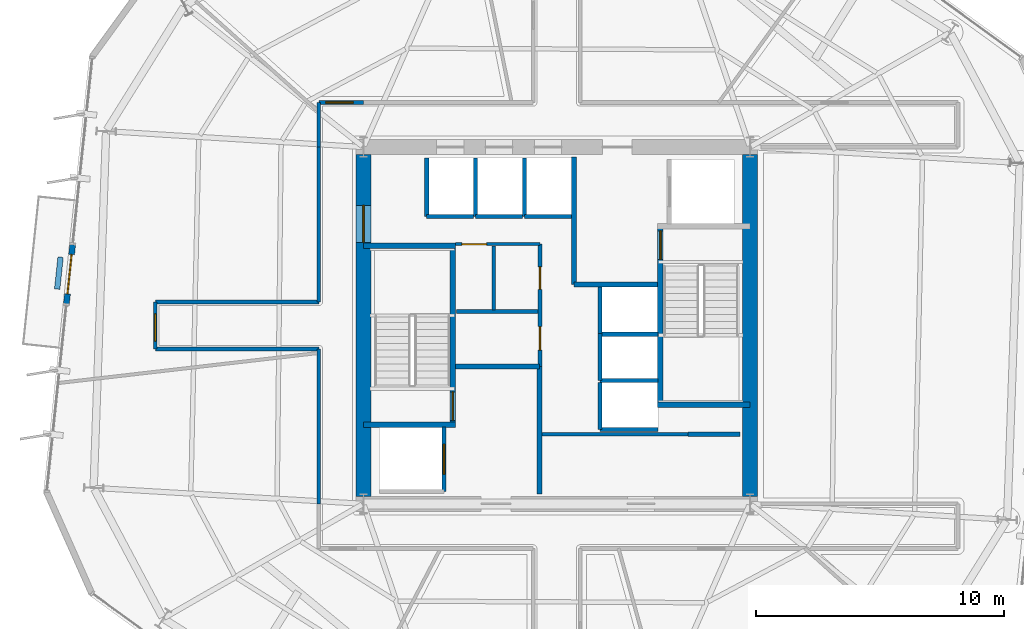
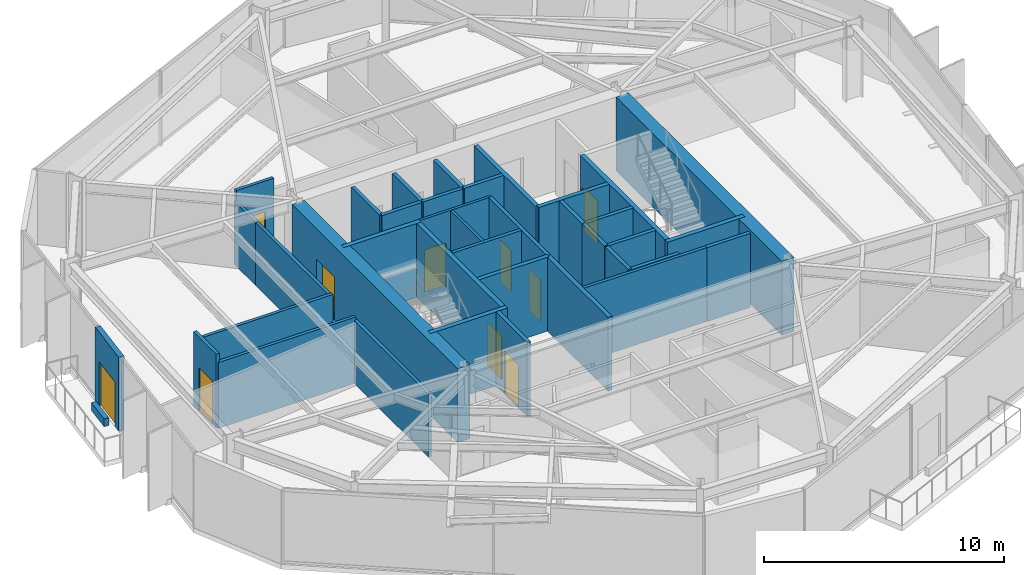
# One storey, part 7 of 13: 39 walls, 10 doors, 10 openings.
"""IFC4 building model written with IfcOpenShell, lengths in metres."""

from ifc_helpers import new_model, si_unit, direction, frame, frame_2d, origin, place, context, subcontext, project, spatial, rectangle, extrude, material, layer, layer_set, type_object, element, fill, save


model = new_model("IFC4")

# Units and contexts
model_context = context("Model", 3, precision=1e-05, world=origin(), true_north=direction((0.0, 1.0)))
body_context = subcontext(model_context, "Body", "Model", "MODEL_VIEW")
ifc_project = project(units=[si_unit("LENGTHUNIT", "METRE"), si_unit("AREAUNIT", "SQUARE_METRE"), si_unit("VOLUMEUNIT", "CUBIC_METRE"), si_unit("PLANEANGLEUNIT", "RADIAN"), si_unit("MASSUNIT", "GRAM", prefix="KILO")], contexts=[model_context])

# Site, building, storey
site_placement = place(None, origin())
site = spatial("IfcSite", under=ifc_project, at=site_placement, CompositionType="ELEMENT")
building_placement = place(site_placement, origin())
building = spatial("IfcBuilding", under=site, at=building_placement, Name="Kranzbogen Civic Tower", CompositionType="ELEMENT")
storey_placement = place(building_placement, frame((0.0, 0.0, 118.39990234375)))
storey = spatial("IfcBuildingStorey", under=building, at=storey_placement, Name="L28", CompositionType="ELEMENT", Elevation=118.39990234375)

# Walls
ifc_material_1 = material(Name="Double-Stud Acoustic Gypsum Partition")
ifc_layer_1 = layer(ifc_material_1, 0.14990234375, Name="Double-Stud Acoustic Gypsum Partition")
ifc_layer_set_1 = layer_set([ifc_layer_1], Name="Double-Stud Acoustic Gypsum Partition")
wall_type_1 = type_object("IfcWallType", Name="Acoustic Corridor and Clinical Partition 150 mm", PredefinedType="PARTITIONING", material=ifc_layer_set_1)
wall_1_placement = place(storey_placement, frame((24.39990234375, 20.610107421875, 0.0), z_axis=(0.0, 0.0, 1.0), x_axis=(1.0, 0.0, 0.0)))
element("IfcWall", 1, at=wall_1_placement, inside=storey, type_object=wall_type_1, Name="L28 records zone North wall", PredefinedType="PARTITIONING", context=body_context, shape_type="SweptSolid", body=[
    extrude(rectangle(XDim=5.900146484375, YDim=0.14990234375, at=frame_2d((2.9501953125, 0.0))), origin(), (0.0, 0.0, 1.0), 3.760009765625),
])
wall_2_placement = place(storey_placement, frame((15.39990234375, 17.800048828125, 0.0), z_axis=(0.0, 0.0, 1.0), x_axis=(0.0, 1.0, 0.0)))
element("IfcWall", 2, at=wall_2_placement, inside=storey, type_object=wall_type_1, Name="L28 corridor partition 03", PredefinedType="PARTITIONING", context=body_context, shape_type="SweptSolid", body=[
    extrude(rectangle(XDim=6.25, YDim=0.14990234375, at=frame_2d((3.125, 0.0))), origin(), (0.0, 0.0, 1.0), 3.210205078125),
])
wall_3_placement = place(storey_placement, frame((15.39990234375, 24.050048828125, 0.0), z_axis=(0.0, 0.0, 1.0), x_axis=(-1.0, 0.0, 0.0)))
element("IfcWall", 3, at=wall_3_placement, inside=storey, type_object=wall_type_1, Name="L28 corridor partition 04", PredefinedType="PARTITIONING", context=body_context, shape_type="SweptSolid", body=[
    extrude(rectangle(XDim=6.599853515625, YDim=0.14990234375, at=frame_2d((3.2998046875, 0.0))), origin(), (0.0, 0.0, 1.0), 3.360107421875),
])

# Wall, opening, door
wall_4_placement = place(storey_placement, frame((8.800048828125, 24.050048828125, 0.0), z_axis=(0.0, 0.0, 1.0), x_axis=(0.0, 1.0, 0.0)))
wall_4 = element("IfcWall", 4, at=wall_4_placement, inside=storey, type_object=wall_type_1, Name="L28 corridor partition 05", PredefinedType="PARTITIONING", context=body_context, shape_type="SweptSolid", body=[
    extrude(rectangle(XDim=1.89990234375, YDim=0.14990234375, at=frame_2d((0.949951171875, 0.0))), origin(), (0.0, 0.0, 1.0), 3.760009765625),
])
opening_1_placement = place(wall_4_placement, frame((0.320068359375, 0.0, 0.0)))
opening_1 = element("IfcOpeningElement", 5, at=opening_1_placement, cuts=wall_4, Name="Opening D-COR60", PredefinedType="OPENING", context=body_context, shape_type="SweptSolid", body=[
    extrude(rectangle(XDim=1.10009765625, YDim=2.199951171875, at=frame_2d((0.550048828125, 1.10009765625))), frame((0.0, 0.0849609375, 0.0), z_axis=(0.0, -1.0, 0.0), x_axis=(1.0, 0.0, 0.0)), (0.0, 0.0, 1.0), 0.169921875),
])
ifc_material_2 = material(Name="Oak Timber and Fire Core", Category="wood")
door_type_1 = type_object("IfcDoorType", Name="Corridor Acoustic Fire Door 1100x2200", OperationType="NOTDEFINED", PredefinedType="DOOR", material=ifc_material_2)
door_1_placement = place(opening_1_placement, origin())
door_1 = element("IfcDoor", 6, at=door_1_placement, inside=storey, type_object=door_type_1, Name="L28 Operations Security Control Room door", OperationType="SINGLE_SWING_LEFT", OverallHeight=2.199951171875, OverallWidth=1.10009765625, PredefinedType="DOOR", context=body_context, shape_type="SweptSolid", body=[
    extrude(rectangle(XDim=1.10009765625, YDim=2.199951171875, at=frame_2d((0.550048828125, 1.10009765625))), frame((0.0, 0.02490234375, 0.0), z_axis=(0.0, -1.0, 0.0), x_axis=(1.0, 0.0, 0.0)), (0.0, 0.0, 1.0), 0.050048828125),
])
fill(opening_1, door_1)

# Walls
wall_5_placement = place(storey_placement, frame((8.800048828125, 25.949951171875, 0.0), z_axis=(0.0, 0.0, 1.0), x_axis=(1.0, 0.0, 0.0)))
element("IfcWall", 7, at=wall_5_placement, inside=storey, type_object=wall_type_1, Name="L28 corridor partition 06", PredefinedType="PARTITIONING", context=body_context, shape_type="SweptSolid", body=[
    extrude(rectangle(XDim=6.599853515625, YDim=0.14990234375, at=frame_2d((3.2998046875, 0.0))), origin(), (0.0, 0.0, 1.0), 3.360107421875),
])
wall_6_placement = place(storey_placement, frame((15.39990234375, 25.949951171875, 0.0), z_axis=(0.0, 0.0, 1.0), x_axis=(0.0, 1.0, 0.0)))
element("IfcWall", 8, at=wall_6_placement, inside=storey, type_object=wall_type_1, Name="L28 corridor partition 07", PredefinedType="PARTITIONING", context=body_context, shape_type="SweptSolid", body=[
    extrude(rectangle(XDim=6.25, YDim=0.14990234375, at=frame_2d((3.125, 0.0))), origin(), (0.0, 0.0, 1.0), 3.210205078125),
])
wall_7_placement = place(storey_placement, frame((15.39990234375, 32.199951171875, 0.0), z_axis=(0.0, 0.0, 1.0), x_axis=(0.0, 1.0, 0.0)))
element("IfcWall", 9, at=wall_7_placement, inside=storey, type_object=wall_type_1, Name="L28 corridor partition 08", PredefinedType="PARTITIONING", context=body_context, shape_type="SweptSolid", body=[
    extrude(rectangle(XDim=1.800048828125, YDim=0.14990234375, at=frame_2d((0.89990234375, 0.0))), origin(), (0.0, 0.0, 1.0), 3.210205078125),
])

# Wall, opening, door
wall_8_placement = place(storey_placement, frame((15.39990234375, 34.0, 0.0), z_axis=(0.0, 0.0, 1.0), x_axis=(1.0, 0.0, 0.0)))
wall_8 = element("IfcWall", 10, at=wall_8_placement, inside=storey, type_object=wall_type_1, Name="L28 corridor partition 09", PredefinedType="PARTITIONING", context=body_context, shape_type="SweptSolid", body=[
    extrude(rectangle(XDim=1.800048828125, YDim=0.14990234375, at=frame_2d((0.89990234375, 0.0))), origin(), (0.0, 0.0, 1.0), 3.760009765625),
])
opening_2_placement = place(wall_8_placement, frame((0.287109375, 0.0, 0.0)))
opening_2 = element("IfcOpeningElement", 11, at=opening_2_placement, cuts=wall_8, Name="Opening D-COR60", PredefinedType="OPENING", context=body_context, shape_type="SweptSolid", body=[
    extrude(rectangle(XDim=1.10009765625, YDim=2.199951171875, at=frame_2d((0.550048828125, 1.10009765625))), frame((0.0, 0.0849609375, 0.0), z_axis=(0.0, -1.0, 0.0), x_axis=(1.0, 0.0, 0.0)), (0.0, 0.0, 1.0), 0.169921875),
])
door_2_placement = place(opening_2_placement, origin())
door_2 = element("IfcDoor", 12, at=door_2_placement, inside=storey, type_object=door_type_1, Name="L28 Refreshment Galley Pantry door", OperationType="SINGLE_SWING_RIGHT", OverallHeight=2.199951171875, OverallWidth=1.10009765625, PredefinedType="DOOR", context=body_context, shape_type="SweptSolid", body=[
    extrude(rectangle(XDim=1.10009765625, YDim=2.199951171875, at=frame_2d((0.550048828125, 1.10009765625))), frame((0.0, 0.02490234375, 0.0), z_axis=(0.0, -1.0, 0.0), x_axis=(1.0, 0.0, 0.0)), (0.0, 0.0, 1.0), 0.050048828125),
])
fill(opening_2, door_2)

ifc_material_3 = material(Name="Insulated Metal-Stud Gypsum Partition")
ifc_layer_2 = layer(ifc_material_3, 0.125, Name="Insulated Metal-Stud Gypsum Partition")
ifc_layer_set_2 = layer_set([ifc_layer_2], Name="Insulated Metal-Stud Gypsum Partition")
wall_type_2 = type_object("IfcWallType", Name="Acoustic Inter-Room Partition 125 mm", PredefinedType="PARTITIONING", material=ifc_layer_set_2)
wall_9_placement = place(storey_placement, frame((20.919921875, 28.280029296875, 0.0), z_axis=(0.0, 0.0, 1.0), x_axis=(1.0, 0.0, 0.0)))
wall_9 = element("IfcWall", 13, at=wall_9_placement, inside=storey, type_object=wall_type_2, Name="L28 core auxiliary North wall", PredefinedType="PARTITIONING", context=body_context, shape_type="SweptSolid", body=[
    extrude(rectangle(XDim=3.405029296875, YDim=0.125, at=frame_2d((1.70263671875, 0.0))), origin(), (0.0, 0.0, 1.0), 3.760009765625),
])
opening_3_placement = place(wall_9_placement, frame((0.2548828125, 0.0, 0.0)))
opening_3 = element("IfcOpeningElement", 14, at=opening_3_placement, cuts=wall_9, Name="Opening D-RSR10", PredefinedType="OPENING", context=body_context, shape_type="SweptSolid", body=[
    extrude(rectangle(XDim=1.0, YDim=2.14990234375, at=frame_2d((0.5, 1.074951171875))), frame((0.0, 0.072509765625, 0.0), z_axis=(0.0, -1.0, 0.0), x_axis=(1.0, 0.0, 0.0)), (0.0, 0.0, 1.0), 0.14501953125),
])
door_type_2 = type_object("IfcDoorType", Name="Core Archive and Riser Fire Door 1000x2150", OperationType="NOTDEFINED", PredefinedType="DOOR", material=ifc_material_2)
door_3_placement = place(opening_3_placement, origin())
door_3 = element("IfcDoor", 15, at=door_3_placement, inside=storey, type_object=door_type_2, Name="L28 Telecom and Riser Room door", OperationType="SINGLE_SWING_RIGHT", OverallHeight=2.14990234375, OverallWidth=1.0, PredefinedType="DOOR", context=body_context, shape_type="SweptSolid", body=[
    extrude(rectangle(XDim=1.0, YDim=2.14990234375, at=frame_2d((0.5, 1.074951171875))), frame((0.0, 0.02490234375, 0.0), z_axis=(0.0, -1.0, 0.0), x_axis=(1.0, 0.0, 0.0)), (0.0, 0.0, 1.0), 0.050048828125),
])
fill(opening_3, door_3)

# Walls
wall_10_placement = place(storey_placement, frame((22.4599609375, 25.6201171875, 0.0), z_axis=(0.0, 0.0, 1.0), x_axis=(0.0, 1.0, 0.0)))
element("IfcWall", 16, at=wall_10_placement, inside=storey, type_object=wall_type_2, Name="L28 core auxiliary partition 2", PredefinedType="PARTITIONING", context=body_context, shape_type="SweptSolid", body=[
    extrude(rectangle(XDim=2.579833984375, YDim=0.125, at=frame_2d((1.2900390625, 0.0))), origin(), (0.0, 0.0, 1.0), 3.760009765625),
])
ifc_material_4 = material(Name="Architectural Precast Terracotta Concrete C40/50", Category="masonry")
ifc_layer_3 = layer(ifc_material_4, 0.219970703125, Name="Architectural Precast Terracotta Concrete C40/50")
ifc_layer_set_3 = layer_set([ifc_layer_3], Name="Architectural Precast Terracotta Concrete C40/50")
wall_type_3 = type_object("IfcWallType", Name="Architectural Tree Planter Kerb Wall 220 mm", PredefinedType="USERDEFINED", material=ifc_layer_set_3)
wall_11_placement = place(storey_placement, frame((4.97412109375, 27.758056640625, 0.0), z_axis=(0.0, 0.0, 1.0), x_axis=(-0.104860863868, -0.994486902492, 0.0)))
element("IfcWall", 17, at=wall_11_placement, inside=storey, type_object=wall_type_3, Name="L28 landscaped tree balcony planter L28-TB2", ObjectType="PLANTER_WALL", PredefinedType="USERDEFINED", context=body_context, shape_type="SweptSolid", body=[
    extrude(rectangle(XDim=1.299072265625, YDim=0.219970703125, at=frame_2d((0.6494140625, 0.0))), origin(), (0.0, 0.0, 1.0), 0.400146484375),
])

# Wall, opening, door
ifc_material_5 = material(Name="Concrete C55/67", Category="concrete")
ifc_layer_4 = layer(ifc_material_5, 0.60009765625, Name="Concrete C55/67")
ifc_layer_set_4 = layer_set([ifc_layer_4], Name="Concrete C55/67")
wall_type_4 = type_object("IfcWallType", Name="Central Core Shear Wall 600 mm", PredefinedType="SHEAR", material=ifc_layer_set_4)
wall_12_placement = place(storey_placement, frame((17.199951171875, 31.89990234375, 0.0), z_axis=(0.0, 0.0, 1.0), x_axis=(0.0, -1.0, 0.0)))
wall_12 = element("IfcWall", 18, at=wall_12_placement, inside=storey, type_object=wall_type_4, Name="L28 central core West shear wall", PredefinedType="SHEAR", context=body_context, shape_type="SweptSolid", body=[
    extrude(rectangle(XDim=13.7998046875, YDim=0.60009765625, at=frame_2d((6.89990234375, 0.0))), origin(), (0.0, 0.0, 1.0), 3.760009765625),
])
opening_4_placement = place(wall_12_placement, frame((2.050048828125, 0.0, 0.0)))
opening_4 = element("IfcOpeningElement", 19, at=opening_4_placement, cuts=wall_12, Name="Opening D-DBL15", PredefinedType="OPENING", context=body_context, shape_type="SweptSolid", body=[
    extrude(rectangle(XDim=1.5, YDim=2.199951171875, at=frame_2d((0.75, 1.10009765625))), frame((0.0, 0.31005859375, 0.0), z_axis=(0.0, -1.0, 0.0), x_axis=(1.0, 0.0, 0.0)), (0.0, 0.0, 1.0), 0.6201171875),
])
ifc_material_6 = material(Name="Anodised Bronze and Glass", Category="glass")
door_type_3 = type_object("IfcDoorType", Name="Civic Lobby Double Door 1500x2200", OperationType="DOUBLE_DOOR_SINGLE_SWING", PredefinedType="DOOR", material=ifc_material_6)
door_4_placement = place(opening_4_placement, origin())
door_4 = element("IfcDoor", 20, at=door_4_placement, inside=storey, type_object=door_type_3, Name="L28 Central Lift Lobby West concourse door", OperationType="DOUBLE_DOOR_SINGLE_SWING", OverallHeight=2.199951171875, OverallWidth=1.5, PredefinedType="DOOR", context=body_context, shape_type="SweptSolid", body=[
    extrude(rectangle(XDim=1.5, YDim=2.199951171875, at=frame_2d((0.75, 1.10009765625))), frame((0.0, 0.02490234375, 0.0), z_axis=(0.0, -1.0, 0.0), x_axis=(1.0, 0.0, 0.0)), (0.0, 0.0, 1.0), 0.050048828125),
])
fill(opening_4, door_4)

# Wall
wall_13_placement = place(storey_placement, frame((32.800048828125, 18.10009765625, 0.0), z_axis=(0.0, 0.0, 1.0), x_axis=(0.0, 1.0, 0.0)))
element("IfcWall", 21, at=wall_13_placement, inside=storey, type_object=wall_type_4, Name="L28 central core East shear wall", PredefinedType="SHEAR", context=body_context, shape_type="SweptSolid", body=[
    extrude(rectangle(XDim=13.7998046875, YDim=0.60009765625, at=frame_2d((6.89990234375, 0.0))), origin(), (0.0, 0.0, 1.0), 3.760009765625),
])

# Wall, opening, door
ifc_material_7 = material(Name="Concrete C45/55", Category="concrete")
ifc_layer_5 = layer(ifc_material_7, 0.219970703125, Name="Concrete C45/55")
ifc_layer_set_5 = layer_set([ifc_layer_5], Name="Concrete C45/55")
wall_type_5 = type_object("IfcWallType", Name="Core Internal Stair Structural Wall 220 mm", PredefinedType="SOLIDWALL", material=ifc_layer_set_5)
wall_14_placement = place(storey_placement, frame((20.81005859375, 20.989990234375, 0.0), z_axis=(0.0, 0.0, 1.0), x_axis=(0.0, 1.0, 0.0)))
wall_14 = element("IfcWall", 22, at=wall_14_placement, inside=storey, type_object=wall_type_5, Name="L28 ST-T1 East structural stair wall", PredefinedType="SOLIDWALL", context=body_context, shape_type="SweptSolid", body=[
    extrude(rectangle(XDim=7.219970703125, YDim=0.219970703125, at=frame_2d((3.60986328125, 0.0))), origin(), (0.0, 0.0, 1.0), 3.760009765625),
])
opening_5_placement = place(wall_14_placement, frame((0.179931640625, 0.0, 0.0)))
opening_5 = element("IfcOpeningElement", 23, at=opening_5_placement, cuts=wall_14, Name="Opening D-ST90", PredefinedType="OPENING", context=body_context, shape_type="SweptSolid", body=[
    extrude(rectangle(XDim=1.14990234375, YDim=2.199951171875, at=frame_2d((0.574951171875, 1.10009765625))), frame((0.0, 0.1201171875, 0.0), z_axis=(0.0, -1.0, 0.0), x_axis=(1.0, 0.0, 0.0)), (0.0, 0.0, 1.0), 0.239990234375),
])
ifc_material_8 = material(Name="Steel S355", Category="steel")
door_type_4 = type_object("IfcDoorType", Name="Pressurized Stair and Lobby Fire Door 1150x2200", OperationType="NOTDEFINED", PredefinedType="DOOR", material=ifc_material_8)
door_5_placement = place(opening_5_placement, origin())
door_5 = element("IfcDoor", 24, at=door_5_placement, inside=storey, type_object=door_type_4, Name="L28 Stair ST-T1 fire door", OperationType="SINGLE_SWING_LEFT", OverallHeight=2.199951171875, OverallWidth=1.14990234375, PredefinedType="DOOR", context=body_context, shape_type="SweptSolid", body=[
    extrude(rectangle(XDim=1.14990234375, YDim=2.199951171875, at=frame_2d((0.574951171875, 1.10009765625))), frame((0.0, 0.02490234375, 0.0), z_axis=(0.0, -1.0, 0.0), x_axis=(1.0, 0.0, 0.0)), (0.0, 0.0, 1.0), 0.050048828125),
])
fill(opening_5, door_5)

# Walls
for number, where, z_axis, x_axis, name in (
    (25, (17.199951171875, 20.989990234375, 0.0), (0.0, 0.0, 1.0), (1.0, 0.0, 0.0), "L28 ST-T1 South structural stair wall"),
    (26, (17.199951171875, 28.2099609375, 0.0), (0.0, 0.0, 1.0), (1.0, 0.0, 0.0), "L28 ST-T1 North structural stair wall"),
):
    element("IfcWall", number, at=place(storey_placement, frame(where, z_axis=z_axis, x_axis=x_axis)), inside=storey, type_object=wall_type_5, Name=name, PredefinedType="SOLIDWALL", context=body_context, shape_type="SweptSolid", body=[
        extrude(rectangle(XDim=3.719970703125, YDim=0.219970703125, at=frame_2d((1.85986328125, 0.0))), origin(), (0.0, 0.0, 1.0), 3.760009765625),
    ])

# Wall, opening, door
wall_15_placement = place(storey_placement, frame((29.18994140625, 21.7900390625, 0.0), z_axis=(0.0, 0.0, 1.0), x_axis=(0.0, 1.0, 0.0)))
wall_15 = element("IfcWall", 27, at=wall_15_placement, inside=storey, type_object=wall_type_5, Name="L28 ST-T2 West structural stair wall", PredefinedType="SOLIDWALL", context=body_context, shape_type="SweptSolid", body=[
    extrude(rectangle(XDim=7.219970703125, YDim=0.219970703125, at=frame_2d((3.60986328125, 0.0))), origin(), (0.0, 0.0, 1.0), 3.760009765625),
])
opening_6_placement = place(wall_15_placement, frame((5.8798828125, 0.0, 0.0)))
opening_6 = element("IfcOpeningElement", 28, at=opening_6_placement, cuts=wall_15, Name="Opening D-ST90", PredefinedType="OPENING", context=body_context, shape_type="SweptSolid", body=[
    extrude(rectangle(XDim=1.14990234375, YDim=2.199951171875, at=frame_2d((0.574951171875, 1.10009765625))), frame((0.0, 0.1201171875, 0.0), z_axis=(0.0, -1.0, 0.0), x_axis=(1.0, 0.0, 0.0)), (0.0, 0.0, 1.0), 0.239990234375),
])
door_6_placement = place(opening_6_placement, origin())
door_6 = element("IfcDoor", 29, at=door_6_placement, inside=storey, type_object=door_type_4, Name="L28 Stair ST-T2 fire door", OperationType="SINGLE_SWING_RIGHT", OverallHeight=2.199951171875, OverallWidth=1.14990234375, PredefinedType="DOOR", context=body_context, shape_type="SweptSolid", body=[
    extrude(rectangle(XDim=1.14990234375, YDim=2.199951171875, at=frame_2d((0.574951171875, 1.10009765625))), frame((0.0, 0.02490234375, 0.0), z_axis=(0.0, -1.0, 0.0), x_axis=(1.0, 0.0, 0.0)), (0.0, 0.0, 1.0), 0.050048828125),
])
fill(opening_6, door_6)

# Walls
wall_16_placement = place(storey_placement, frame((29.080078125, 21.7900390625, 0.0), z_axis=(0.0, 0.0, 1.0), x_axis=(1.0, 0.0, 0.0)))
element("IfcWall", 30, at=wall_16_placement, inside=storey, type_object=wall_type_5, Name="L28 ST-T2 South structural stair wall", PredefinedType="SOLIDWALL", context=body_context, shape_type="SweptSolid", body=[
    extrude(rectangle(XDim=3.719970703125, YDim=0.219970703125, at=frame_2d((1.85986328125, 0.0))), origin(), (0.0, 0.0, 1.0), 3.760009765625),
])
ifc_material_9 = material(Name="Gypsum Fireboard and Concrete Block", Category="concrete")
ifc_layer_6 = layer(ifc_material_9, 0.199951171875, Name="Gypsum Fireboard and Concrete Block")
ifc_layer_set_6 = layer_set([ifc_layer_6], Name="Gypsum Fireboard and Concrete Block")
wall_type_6 = type_object("IfcWallType", Name="Fire-Rated Exit Passageway and Stair Wall 200 mm", PredefinedType="PARTITIONING", material=ifc_layer_set_6)
wall_17_placement = place(storey_placement, frame((24.300048828125, 18.199951171875, 0.0), z_axis=(0.0, 0.0, 1.0), x_axis=(0.0, 1.0, 0.0)))
element("IfcWall", 31, at=wall_17_placement, inside=storey, type_object=wall_type_6, Name="L28 West firefighting lobby East wall", PredefinedType="PARTITIONING", context=body_context, shape_type="SweptSolid", body=[
    extrude(rectangle(XDim=5.150146484375, YDim=0.199951171875, at=frame_2d((2.5751953125, 0.0))), origin(), (0.0, 0.0, 1.0), 3.760009765625),
])
wall_18_placement = place(storey_placement, frame((20.919921875, 23.35009765625, 0.0), z_axis=(0.0, 0.0, 1.0), x_axis=(1.0, 0.0, 0.0)))
element("IfcWall", 32, at=wall_18_placement, inside=storey, type_object=wall_type_6, Name="L28 West firefighting lobby North wall", PredefinedType="PARTITIONING", context=body_context, shape_type="SweptSolid", body=[
    extrude(rectangle(XDim=3.380126953125, YDim=0.199951171875, at=frame_2d((1.68994140625, 0.0))), origin(), (0.0, 0.0, 1.0), 3.760009765625),
])
wall_19_placement = place(storey_placement, frame((25.699951171875, 26.64990234375, 0.0), z_axis=(0.0, 0.0, 1.0), x_axis=(0.0, 1.0, 0.0)))
element("IfcWall", 33, at=wall_19_placement, inside=storey, type_object=wall_type_6, Name="L28 East firefighting lobby West wall", PredefinedType="PARTITIONING", context=body_context, shape_type="SweptSolid", body=[
    extrude(rectangle(XDim=5.150146484375, YDim=0.199951171875, at=frame_2d((2.5751953125, 0.0))), origin(), (0.0, 0.0, 1.0), 3.760009765625),
])
wall_20_placement = place(storey_placement, frame((25.699951171875, 26.64990234375, 0.0), z_axis=(0.0, 0.0, 1.0), x_axis=(1.0, 0.0, 0.0)))
element("IfcWall", 34, at=wall_20_placement, inside=storey, type_object=wall_type_6, Name="L28 East firefighting lobby South wall", PredefinedType="PARTITIONING", context=body_context, shape_type="SweptSolid", body=[
    extrude(rectangle(XDim=3.380126953125, YDim=0.199951171875, at=frame_2d((1.68994140625, 0.0))), origin(), (0.0, 0.0, 1.0), 3.760009765625),
])
ifc_material_10 = material(Name="Gypsum Fireboard Shaftliner")
ifc_layer_7 = layer(ifc_material_10, 0.175048828125, Name="Gypsum Fireboard Shaftliner")
ifc_layer_set_7 = layer_set([ifc_layer_7], Name="Gypsum Fireboard Shaftliner")
wall_type_7 = type_object("IfcWallType", Name="Fire-Rated Lift and Service Shaft Wall 175 mm", PredefinedType="PARTITIONING", material=ifc_layer_set_7)
wall_21_placement = place(storey_placement, frame((30.300048828125, 20.610107421875, 0.0), z_axis=(0.0, 0.0, 1.0), x_axis=(1.0, 0.0, 0.0)))
element("IfcWall", 35, at=wall_21_placement, inside=storey, type_object=wall_type_7, Name="L28 merged archive North wall", PredefinedType="PARTITIONING", context=body_context, shape_type="SweptSolid", body=[
    extrude(rectangle(XDim=2.099853515625, YDim=0.175048828125, at=frame_2d((1.0498046875, 0.0))), origin(), (0.0, 0.0, 1.0), 3.760009765625),
])
wall_22_placement = place(storey_placement, frame((19.75, 29.39990234375, 0.0), z_axis=(0.0, 0.0, 1.0), x_axis=(1.0, 0.0, 0.0)))
element("IfcWall", 36, at=wall_22_placement, inside=storey, type_object=wall_type_7, Name="L28 lift MP-01 rear wall", PredefinedType="PARTITIONING", context=body_context, shape_type="SweptSolid", body=[
    extrude(rectangle(XDim=1.89990234375, YDim=0.175048828125, at=frame_2d((0.949951171875, 0.0))), origin(), (0.0, 0.0, 1.0), 3.760009765625),
])
wall_23_placement = place(storey_placement, frame((19.75, 29.39990234375, 0.0), z_axis=(0.0, 0.0, 1.0), x_axis=(0.0, 1.0, 0.0)))
element("IfcWall", 37, at=wall_23_placement, inside=storey, type_object=wall_type_7, Name="L28 lift MP-01 side wall", PredefinedType="PARTITIONING", context=body_context, shape_type="SweptSolid", body=[
    extrude(rectangle(XDim=2.35009765625, YDim=0.175048828125, at=frame_2d((1.175048828125, 0.0))), origin(), (0.0, 0.0, 1.0), 3.760009765625),
])
wall_24_placement = place(storey_placement, frame((21.72509765625, 29.39990234375, 0.0), z_axis=(0.0, 0.0, 1.0), x_axis=(1.0, 0.0, 0.0)))
element("IfcWall", 38, at=wall_24_placement, inside=storey, type_object=wall_type_7, Name="L28 lift MP-02 rear wall", PredefinedType="PARTITIONING", context=body_context, shape_type="SweptSolid", body=[
    extrude(rectangle(XDim=1.89990234375, YDim=0.175048828125, at=frame_2d((0.949951171875, 0.0))), origin(), (0.0, 0.0, 1.0), 3.760009765625),
])
wall_25_placement = place(storey_placement, frame((21.72509765625, 29.39990234375, 0.0), z_axis=(0.0, 0.0, 1.0), x_axis=(0.0, 1.0, 0.0)))
element("IfcWall", 39, at=wall_25_placement, inside=storey, type_object=wall_type_7, Name="L28 lift MP-02 side wall", PredefinedType="PARTITIONING", context=body_context, shape_type="SweptSolid", body=[
    extrude(rectangle(XDim=2.35009765625, YDim=0.175048828125, at=frame_2d((1.175048828125, 0.0))), origin(), (0.0, 0.0, 1.0), 3.760009765625),
])
wall_26_placement = place(storey_placement, frame((23.699951171875, 29.39990234375, 0.0), z_axis=(0.0, 0.0, 1.0), x_axis=(1.0, 0.0, 0.0)))
element("IfcWall", 40, at=wall_26_placement, inside=storey, type_object=wall_type_7, Name="L28 lift MP-03 rear wall", PredefinedType="PARTITIONING", context=body_context, shape_type="SweptSolid", body=[
    extrude(rectangle(XDim=1.900146484375, YDim=0.175048828125, at=frame_2d((0.9501953125, 0.0))), origin(), (0.0, 0.0, 1.0), 3.760009765625),
])
wall_27_placement = place(storey_placement, frame((23.699951171875, 29.39990234375, 0.0), z_axis=(0.0, 0.0, 1.0), x_axis=(0.0, 1.0, 0.0)))
element("IfcWall", 41, at=wall_27_placement, inside=storey, type_object=wall_type_7, Name="L28 lift MP-03 side wall", PredefinedType="PARTITIONING", context=body_context, shape_type="SweptSolid", body=[
    extrude(rectangle(XDim=2.35009765625, YDim=0.175048828125, at=frame_2d((1.175048828125, 0.0))), origin(), (0.0, 0.0, 1.0), 3.760009765625),
])
wall_28_placement = place(storey_placement, frame((26.75, 20.800048828125, 0.0), z_axis=(0.0, 0.0, 1.0), x_axis=(0.0, 1.0, 0.0)))
element("IfcWall", 42, at=wall_28_placement, inside=storey, type_object=wall_type_7, Name="L28 lift HP-01 landing wall", PredefinedType="PARTITIONING", context=body_context, shape_type="SweptSolid", body=[
    extrude(rectangle(XDim=1.89990234375, YDim=0.175048828125, at=frame_2d((0.949951171875, 0.0))), origin(), (0.0, 0.0, 1.0), 3.760009765625),
])
wall_29_placement = place(storey_placement, frame((26.75, 20.800048828125, 0.0), z_axis=(0.0, 0.0, 1.0), x_axis=(1.0, 0.0, 0.0)))
element("IfcWall", 43, at=wall_29_placement, inside=storey, type_object=wall_type_7, Name="L28 lift HP-01 side wall", PredefinedType="PARTITIONING", context=body_context, shape_type="SweptSolid", body=[
    extrude(rectangle(XDim=2.35009765625, YDim=0.175048828125, at=frame_2d((1.175048828125, 0.0))), origin(), (0.0, 0.0, 1.0), 3.760009765625),
])
wall_30_placement = place(storey_placement, frame((26.75, 22.77490234375, 0.0), z_axis=(0.0, 0.0, 1.0), x_axis=(0.0, 1.0, 0.0)))
element("IfcWall", 44, at=wall_30_placement, inside=storey, type_object=wall_type_7, Name="L28 lift HP-02 landing wall", PredefinedType="PARTITIONING", context=body_context, shape_type="SweptSolid", body=[
    extrude(rectangle(XDim=1.900146484375, YDim=0.175048828125, at=frame_2d((0.9501953125, 0.0))), origin(), (0.0, 0.0, 1.0), 3.760009765625),
])
wall_31_placement = place(storey_placement, frame((26.75, 22.77490234375, 0.0), z_axis=(0.0, 0.0, 1.0), x_axis=(1.0, 0.0, 0.0)))
element("IfcWall", 45, at=wall_31_placement, inside=storey, type_object=wall_type_7, Name="L28 lift HP-02 side wall", PredefinedType="PARTITIONING", context=body_context, shape_type="SweptSolid", body=[
    extrude(rectangle(XDim=2.35009765625, YDim=0.175048828125, at=frame_2d((1.175048828125, 0.0))), origin(), (0.0, 0.0, 1.0), 3.760009765625),
])
wall_32_placement = place(storey_placement, frame((26.75, 24.64990234375, 0.0), z_axis=(0.0, 0.0, 1.0), x_axis=(0.0, 1.0, 0.0)))
element("IfcWall", 46, at=wall_32_placement, inside=storey, type_object=wall_type_7, Name="L28 lift HP-03 landing wall", PredefinedType="PARTITIONING", context=body_context, shape_type="SweptSolid", body=[
    extrude(rectangle(XDim=1.900146484375, YDim=0.175048828125, at=frame_2d((0.9501953125, 0.0))), origin(), (0.0, 0.0, 1.0), 3.760009765625),
])
wall_33_placement = place(storey_placement, frame((26.75, 24.64990234375, 0.0), z_axis=(0.0, 0.0, 1.0), x_axis=(1.0, 0.0, 0.0)))
element("IfcWall", 47, at=wall_33_placement, inside=storey, type_object=wall_type_7, Name="L28 lift HP-03 side wall", PredefinedType="PARTITIONING", context=body_context, shape_type="SweptSolid", body=[
    extrude(rectangle(XDim=2.35009765625, YDim=0.175048828125, at=frame_2d((1.175048828125, 0.0))), origin(), (0.0, 0.0, 1.0), 3.760009765625),
])

# Wall, opening, door
wall_34_placement = place(storey_placement, frame((20.449951171875, 18.300048828125, 0.0), z_axis=(0.0, 0.0, 1.0), x_axis=(0.0, 1.0, 0.0)))
wall_34 = element("IfcWall", 48, at=wall_34_placement, inside=storey, type_object=wall_type_7, Name="L28 lift FF-01 landing wall", PredefinedType="PARTITIONING", context=body_context, shape_type="SweptSolid", body=[
    extrude(rectangle(XDim=2.599853515625, YDim=0.175048828125, at=frame_2d((1.2998046875, 0.0))), origin(), (0.0, 0.0, 1.0), 3.760009765625),
])
opening_7_placement = place(wall_34_placement, frame((0.699951171875, 0.0, 0.0)))
opening_7 = element("IfcOpeningElement", 49, at=opening_7_placement, cuts=wall_34, Name="Opening LD-FF-01", PredefinedType="OPENING", context=body_context, shape_type="SweptSolid", body=[
    extrude(rectangle(XDim=1.199951171875, YDim=2.199951171875, at=frame_2d((0.60009765625, 1.10009765625))), frame((0.0, 0.09765625, 0.0), z_axis=(0.0, -1.0, 0.0), x_axis=(1.0, 0.0, 0.0)), (0.0, 0.0, 1.0), 0.195068359375),
])
ifc_material_11 = material(Name="Pale Anodised Aluminium", Category="aluminium")
door_type_5 = type_object("IfcDoorType", Name="Firefighting and Stretcher Lift Sliding Landing Door 1200x2200", OperationType="DOUBLE_DOOR_SLIDING", PredefinedType="DOOR", material=ifc_material_11)
door_7_placement = place(opening_7_placement, origin())
door_7 = element("IfcDoor", 50, at=door_7_placement, inside=storey, type_object=door_type_5, Name="L28 lift FF-01 sliding landing door", OperationType="DOUBLE_DOOR_SLIDING", OverallHeight=2.199951171875, OverallWidth=1.199951171875, PredefinedType="DOOR", context=body_context, shape_type="SweptSolid", body=[
    extrude(rectangle(XDim=1.199951171875, YDim=2.199951171875, at=frame_2d((0.60009765625, 1.10009765625))), frame((0.0, 0.02490234375, 0.0), z_axis=(0.0, -1.0, 0.0), x_axis=(1.0, 0.0, 0.0)), (0.0, 0.0, 1.0), 0.050048828125),
])
fill(opening_7, door_7)

ifc_layer_8 = layer(ifc_material_11, 0.239990234375, Name="Pale Anodised Aluminium")
ifc_layer_set_8 = layer_set([ifc_layer_8], Name="Pale Anodised Aluminium")
wall_type_8 = type_object("IfcWallType", Name="Insulated Aluminium Facade Portal Wall 240 mm", PredefinedType="STANDARD", material=ifc_layer_set_8)
wall_35_placement = place(storey_placement, frame((5.4609375, 28.260986328125, 0.0), z_axis=(0.0, 0.0, 1.0), x_axis=(-0.104165836226, -0.994559942167, 0.0)))
wall_35 = element("IfcWall", 51, at=wall_35_placement, inside=storey, type_object=wall_type_8, Name="L28 exterior entrance portal wall 1", PredefinedType="STANDARD", context=body_context, shape_type="SweptSolid", body=[
    extrude(rectangle(XDim=2.39990234375, YDim=0.239990234375, at=frame_2d((1.199951171875, 0.0))), origin(), (0.0, 0.0, 1.0), 3.760009765625),
])
opening_8_placement = place(wall_35_placement, frame((0.39990234375, 0.0, 0.0)))
opening_8 = element("IfcOpeningElement", 52, at=opening_8_placement, cuts=wall_35, Name="Opening D-TER", PredefinedType="OPENING", context=body_context, shape_type="SweptSolid", body=[
    extrude(rectangle(XDim=1.60009765625, YDim=2.25, at=frame_2d((0.800048828125, 1.125))), frame((0.0, 0.1298828125, 0.0), z_axis=(0.0, -1.0, 0.0), x_axis=(1.0, 0.0, 0.0)), (0.0, 0.0, 1.0), 0.260009765625),
])
ifc_material_12 = material(Name="Anodised Bronze and Triple Glass", Category="glass")
door_type_6 = type_object("IfcDoorType", Name="Glazed Terrace and Balcony Double Door 1600x2250", OperationType="DOUBLE_DOOR_SINGLE_SWING", PredefinedType="DOOR", material=ifc_material_12)
door_8_placement = place(opening_8_placement, frame((1.60009765625, 0.0, 0.0), z_axis=(0.0, 0.0, 1.0), x_axis=(-1.0, 0.0, 0.0)))
door_8 = element("IfcDoor", 53, at=door_8_placement, inside=storey, type_object=door_type_6, Name="L28 tree balcony access door L28-TB2", OperationType="DOUBLE_DOOR_SINGLE_SWING", OverallHeight=2.25, OverallWidth=1.60009765625, PredefinedType="DOOR", context=body_context, shape_type="SweptSolid", body=[
    extrude(rectangle(XDim=1.60009765625, YDim=2.25, at=frame_2d((0.800048828125, 1.125))), frame((0.0, 0.02490234375, 0.0), z_axis=(0.0, -1.0, 0.0), x_axis=(1.0, 0.0, 0.0)), (0.0, 0.0, 1.0), 0.050048828125),
])
fill(opening_8, door_8)

# Wall, openings, doors
ifc_material_13 = material(Name="Moisture-Resistant Gypsum Assembly")
ifc_layer_9 = layer(ifc_material_13, 0.159912109375, Name="Moisture-Resistant Gypsum Assembly")
ifc_layer_set_9 = layer_set([ifc_layer_9], Name="Moisture-Resistant Gypsum Assembly")
wall_type_9 = type_object("IfcWallType", Name="Sanitary and Plumbing Wet Wall 160 mm", PredefinedType="PLUMBINGWALL", material=ifc_layer_set_9)
wall_36_placement = place(storey_placement, frame((24.324951171875, 23.35009765625, 0.0), z_axis=(0.0, 0.0, 1.0), x_axis=(0.0, 1.0, 0.0)))
wall_36 = element("IfcWall", 54, at=wall_36_placement, inside=storey, type_object=wall_type_9, Name="L28 core auxiliary East wall", PredefinedType="PLUMBINGWALL", context=body_context, shape_type="SweptSolid", body=[
    extrude(rectangle(XDim=4.929931640625, YDim=0.159912109375, at=frame_2d((2.46484375, 0.0))), origin(), (0.0, 0.0, 1.0), 3.760009765625),
])
opening_9_placement = place(wall_36_placement, frame((0.64990234375, 0.0, 0.0)))
opening_9 = element("IfcOpeningElement", 55, at=opening_9_placement, cuts=wall_36, Name="Opening D-AWC95", PredefinedType="OPENING", context=body_context, shape_type="SweptSolid", body=[
    extrude(rectangle(XDim=0.949951171875, YDim=2.10009765625, at=frame_2d((0.47509765625, 1.050048828125))), frame((0.0, 0.08984375, 0.0), z_axis=(0.0, -1.0, 0.0), x_axis=(1.0, 0.0, 0.0)), (0.0, 0.0, 1.0), 0.179931640625),
])
opening_10_placement = place(wall_36_placement, frame((3.110107421875, 0.0, 0.0)))
opening_10 = element("IfcOpeningElement", 56, at=opening_10_placement, cuts=wall_36, Name="Opening D-WC90", PredefinedType="OPENING", context=body_context, shape_type="SweptSolid", body=[
    extrude(rectangle(XDim=0.89990234375, YDim=2.10009765625, at=frame_2d((0.449951171875, 1.050048828125))), frame((0.0, 0.08984375, 0.0), z_axis=(0.0, -1.0, 0.0), x_axis=(1.0, 0.0, 0.0)), (0.0, 0.0, 1.0), 0.179931640625),
])
ifc_material_14 = material(Name="Moisture-Resistant Laminate")
door_type_7 = type_object("IfcDoorType", Name="Accessible Restroom Door 950x2100", OperationType="NOTDEFINED", PredefinedType="DOOR", material=ifc_material_14)
door_9_placement = place(opening_9_placement, origin())
door_9 = element("IfcDoor", 57, at=door_9_placement, inside=storey, type_object=door_type_7, Name="L28 Accessible Restroom door", OperationType="SINGLE_SWING_LEFT", OverallHeight=2.10009765625, OverallWidth=0.949951171875, PredefinedType="DOOR", context=body_context, shape_type="SweptSolid", body=[
    extrude(rectangle(XDim=0.949951171875, YDim=2.10009765625, at=frame_2d((0.47509765625, 1.050048828125))), frame((0.0, 0.02490234375, 0.0), z_axis=(0.0, -1.0, 0.0), x_axis=(1.0, 0.0, 0.0)), (0.0, 0.0, 1.0), 0.050048828125),
])
fill(opening_9, door_9)
door_type_8 = type_object("IfcDoorType", Name="Standard Restroom and Store Door 900x2100", OperationType="NOTDEFINED", PredefinedType="DOOR", material=ifc_material_14)
door_10_placement = place(opening_10_placement, origin())
door_10 = element("IfcDoor", 58, at=door_10_placement, inside=storey, type_object=door_type_8, Name="L28 Staff Restroom door", OperationType="SINGLE_SWING_LEFT", OverallHeight=2.10009765625, OverallWidth=0.89990234375, PredefinedType="DOOR", context=body_context, shape_type="SweptSolid", body=[
    extrude(rectangle(XDim=0.89990234375, YDim=2.10009765625, at=frame_2d((0.449951171875, 1.050048828125))), frame((0.0, 0.02490234375, 0.0), z_axis=(0.0, -1.0, 0.0), x_axis=(1.0, 0.0, 0.0)), (0.0, 0.0, 1.0), 0.050048828125),
])
fill(opening_10, door_10)

# Wall
wall_37_placement = place(storey_placement, frame((20.949951171875, 25.56005859375, 0.0), z_axis=(0.0, 0.0, 1.0), x_axis=(1.0, 0.0, 0.0)))
element("IfcWall", 59, at=wall_37_placement, inside=storey, type_object=wall_type_9, Name="L28 core auxiliary partition 1", PredefinedType="PLUMBINGWALL", context=body_context, shape_type="SweptSolid", body=[
    extrude(rectangle(XDim=3.300048828125, YDim=0.159912109375, at=frame_2d((1.64990234375, 0.0))), origin(), (0.0, 0.0, 1.0), 3.760009765625),
])

save(model, "model.ifc")
